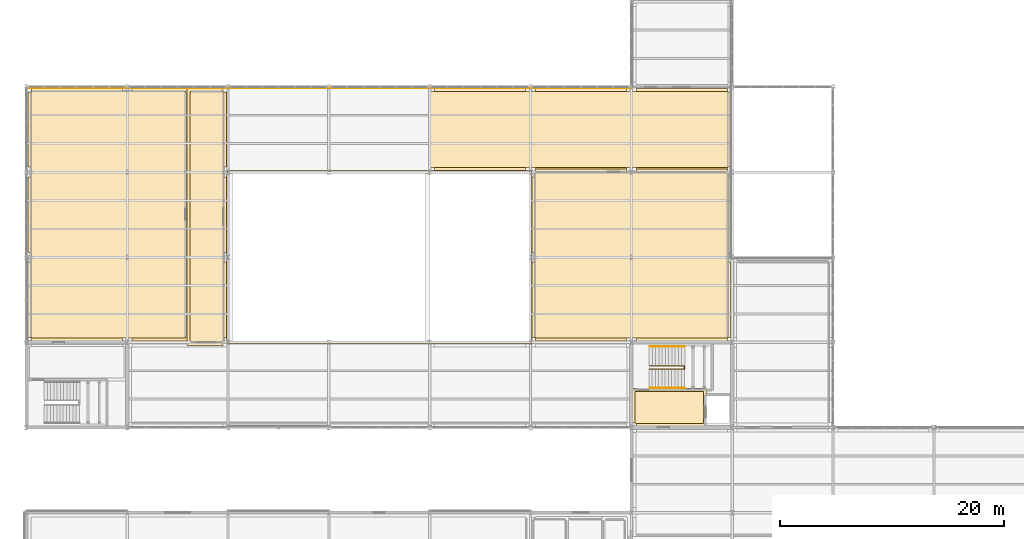
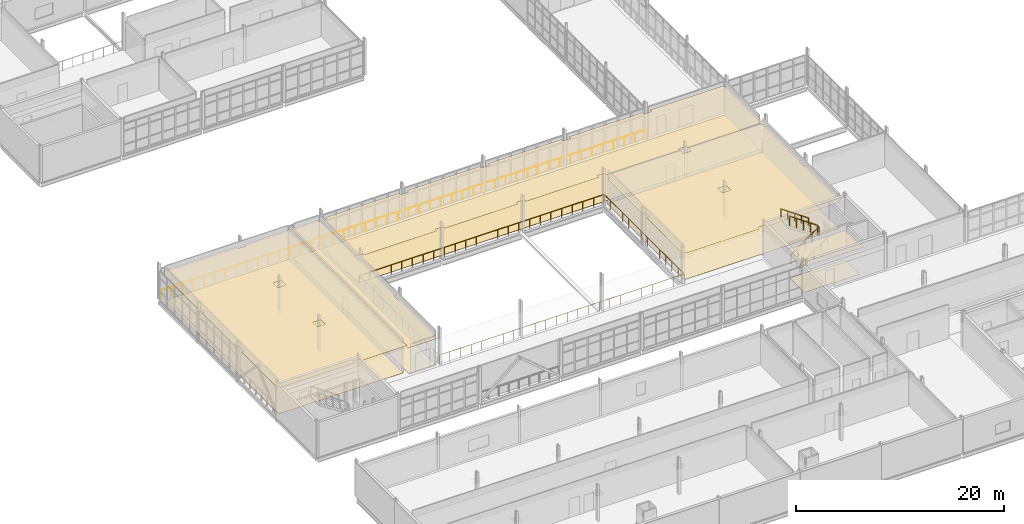
# One storey, part 166 of 174: 10 coverings, 5 railings.
"""IFC4 building model written with IfcOpenShell, lengths in metres."""

import ifcopenshell
import ifcopenshell.guid

model = None  # the IFC model being written
_history = None  # IfcOwnerHistory: only IFC2X3 demands one
_inside = {}  # id of a spatial element -> (the spatial element, [elements in it])
_under = {}  # id of a project, library or spatial element -> (it, [spatial elements below it])
_declared = {}  # id of a project -> (the project, [libraries it declares])
_typed = {}  # id of a type object -> (the type object, [elements of that type])
_made_of = {}  # id of a material, layer set ... -> (it, [elements and type objects made of it])


def new_model(schema):
    """Start an empty IFC model of exactly this schema.

    Asked for "IFC4X3", IfcOpenShell would pick the latest addendum, in which some entities
    have other attributes; the version numbers below select the first issue.
    IFC2X3 requires an IfcOwnerHistory on every rooted entity: one is made here for all.
    """
    global model, _history
    if schema == "IFC4X3":
        model = ifcopenshell.file(schema_version=(4, 3, 0, 0))
    else:
        model = ifcopenshell.file(schema=schema)
    _inside.clear()
    _under.clear()
    _declared.clear()
    _typed.clear()
    _made_of.clear()
    _history = None
    if model.schema == "IFC2X3":
        org = make("IfcOrganization", Name="unknown")
        user = make(
            "IfcPersonAndOrganization",
            ThePerson=make("IfcPerson", FamilyName="unknown"),
            TheOrganization=org,
        )
        app = make(
            "IfcApplication",
            ApplicationDeveloper=org,
            Version="unknown",
            ApplicationFullName="unknown",
            ApplicationIdentifier="unknown",
        )
        _history = make(
            "IfcOwnerHistory",
            OwningUser=user,
            OwningApplication=app,
            ChangeAction="ADDED",
            CreationDate=0,
        )
    return model


def make(cls, **values):
    """One entity of the class cls with the attributes given. An attribute that is None is left unset."""
    return model.create_entity(
        cls, **{name: value for name, value in values.items() if value is not None}
    )


def rooted(cls, **values):
    """An entity with a GlobalId (a new one), such as an element, a storey or a relation."""
    return make(cls, GlobalId=ifcopenshell.guid.new(), OwnerHistory=_history, **values)


def si_unit(unit_type, name, prefix=None):
    """IfcSIUnit, for example si_unit("LENGTHUNIT", "METRE", prefix="MILLI")."""
    return make("IfcSIUnit", UnitType=unit_type, Prefix=prefix, Name=name)


def assignment(units):
    """IfcUnitAssignment: the units of a project."""
    return None if units is None else make("IfcUnitAssignment", Units=units)


def point(xyz):
    """IfcCartesianPoint."""
    return None if xyz is None else make("IfcCartesianPoint", Coordinates=xyz)


def direction(xyz):
    """IfcDirection."""
    return None if xyz is None else make("IfcDirection", DirectionRatios=xyz)


def frame(location, z_axis=None, x_axis=None):
    """IfcAxis2Placement3D, a coordinate frame: its origin and axes. An axis left out is left unset."""
    return make(
        "IfcAxis2Placement3D",
        Location=point(location),
        Axis=direction(z_axis),
        RefDirection=direction(x_axis),
    )


def frame_2d(location, x_axis=None):
    """IfcAxis2Placement2D, a coordinate frame in the plane: its origin and x axis."""
    return make(
        "IfcAxis2Placement2D", Location=point(location), RefDirection=direction(x_axis)
    )


def origin():
    """The frame at (0, 0, 0) with its axes left unset."""
    return frame((0.0, 0.0, 0.0))


def origin_2d():
    """The frame at (0, 0) in the plane with its x axis left unset."""
    return frame_2d((0.0, 0.0))


def place(relative_to, where):
    """IfcLocalPlacement: puts the frame where relative to a parent placement (None: the world)."""
    return make(
        "IfcLocalPlacement", PlacementRelTo=relative_to, RelativePlacement=where
    )


def context(
    kind, dimensions, precision=None, world=None, true_north=None, identifier=None
):
    """IfcGeometricRepresentationContext, for example the 3D "Model" context."""
    return make(
        "IfcGeometricRepresentationContext",
        ContextIdentifier=identifier,
        ContextType=kind,
        CoordinateSpaceDimension=dimensions,
        Precision=precision,
        WorldCoordinateSystem=world,
        TrueNorth=true_north,
    )


def subcontext(parent, identifier, kind, view, scale=None):
    """IfcGeometricRepresentationSubContext, for example "Body" below "Model"."""
    return make(
        "IfcGeometricRepresentationSubContext",
        ContextIdentifier=identifier,
        ContextType=kind,
        ParentContext=parent,
        TargetScale=scale,
        TargetView=view,
    )


def project(units=None, contexts=None):
    """IfcProject with its units and contexts."""
    return rooted(
        "IfcProject",
        Name="project",
        RepresentationContexts=contexts,
        UnitsInContext=assignment(units),
    )


def spatial(cls, under=None, at=None, **own):
    """A site, building, storey or space (cls), placed at a placement, below another one or the project."""
    s = rooted(cls, ObjectPlacement=at, **own)
    if under is not None:
        _under.setdefault(under.id(), (under, []))[1].append(s)
    return s


def polyline(points):
    """IfcPolyline through the points."""
    return make("IfcPolyline", Points=[point(p) for p in points])


def profile(cls, at=None, kind="AREA", **sizes):
    """A parametric profile (cls). Its sizes go by their IFC names, for example OverallWidth=200.0."""
    return make(cls, ProfileType=kind, Position=at, **sizes)


def circle(**sizes):
    """IfcCircleProfileDef."""
    return profile("IfcCircleProfileDef", **sizes)


def outline(outer, holes=None, kind="AREA"):
    """IfcArbitraryClosedProfileDef: a profile drawn as a closed curve; with holes, ...WithVoids."""
    if holes is None:
        return make("IfcArbitraryClosedProfileDef", ProfileType=kind, OuterCurve=outer)
    return make(
        "IfcArbitraryProfileDefWithVoids",
        ProfileType=kind,
        OuterCurve=outer,
        InnerCurves=holes,
    )


def extrude(swept, where, along, depth):
    """IfcExtrudedAreaSolid: the profile swept, set in the frame where, extruded along a direction by depth."""
    return make(
        "IfcExtrudedAreaSolid",
        SweptArea=swept,
        Position=where,
        ExtrudedDirection=direction(along),
        Depth=depth,
    )


def shape(context_of_items, identifier, shape_type, items):
    """IfcShapeRepresentation: the items that make up one representation, for example the "Body"."""
    return make(
        "IfcShapeRepresentation",
        ContextOfItems=context_of_items,
        RepresentationIdentifier=identifier,
        RepresentationType=shape_type,
        Items=items,
    )


def material(Name=None, Category=None):
    """IfcMaterial."""
    return make("IfcMaterial", Name=Name, Category=Category)


def layer(
    of_material, thickness, ventilated=None, Name=None, Category=None, Priority=None
):
    """IfcMaterialLayer: one layer of a wall or slab, of a material (None: an air gap)."""
    return make(
        "IfcMaterialLayer",
        Material=of_material,
        LayerThickness=thickness,
        IsVentilated=ventilated,
        Name=Name,
        Category=Category,
        Priority=Priority,
    )


def layer_set(layers, Name=None):
    """IfcMaterialLayerSet."""
    return make("IfcMaterialLayerSet", MaterialLayers=layers, LayerSetName=Name)


def made_of(thing, what):
    """Note that an element or type object is made of a material, layer set ...; save() writes the relation."""
    if what is not None:
        _made_of.setdefault(what.id(), (what, []))[1].append(thing)
    return thing


def type_object(cls, material=None, **own):
    """A type object (cls), such as IfcWallType, which elements share."""
    return made_of(rooted(cls, **own), material)


def element(
    cls,
    number,
    at=None,
    inside=None,
    cuts=None,
    type_object=None,
    material=None,
    context=None,
    identifier="Body",
    shape_type=None,
    held_by="IfcProductDefinitionShape",
    body=None,
    shapes=None,
    **own,
):
    """One element of the class cls, such as IfcWall. Its Tag is "e" and its number.

    at: its placement. inside: the storey or other place that contains it. cuts: it is an
    opening in that element (IfcRelVoidsElement). A single representation is given by context,
    identifier, shape_type and body (its items); several are given by shapes. held_by: the class
    of the entity that holds the representations. save() writes the other relations.
    """
    e = rooted(cls, Tag="e%d" % number, ObjectPlacement=at, **own)
    if body is not None:
        shapes = [shape(context, identifier, shape_type, body)]
    if shapes is not None:
        e.Representation = make(held_by, Representations=shapes)
    if inside is not None:
        _inside.setdefault(inside.id(), (inside, []))[1].append(e)
    if cuts is not None:
        rooted(
            "IfcRelVoidsElement", RelatingBuildingElement=cuts, RelatedOpeningElement=e
        )
    if type_object is not None:
        _typed.setdefault(type_object.id(), (type_object, []))[1].append(e)
    return made_of(e, material)


def aggregate(whole, parts):
    """IfcRelAggregates: a whole, such as a stair, and the parts it consists of."""
    return rooted("IfcRelAggregates", RelatingObject=whole, RelatedObjects=parts)


def save(model, path):
    """Write the relations noted so far, then the file.

    IfcRelAggregates (storeys below a building ...), IfcRelContainedInSpatialStructure (elements
    in a storey), IfcRelDefinesByType, IfcRelAssociatesMaterial and IfcRelDeclares: one each for
    every whole, place, type object, material and project.
    """
    for whole, parts in _under.values():
        aggregate(whole, parts)
    for where, things in _inside.values():
        rooted(
            "IfcRelContainedInSpatialStructure",
            RelatedElements=things,
            RelatingStructure=where,
        )
    for kind, things in _typed.values():
        rooted("IfcRelDefinesByType", RelatedObjects=things, RelatingType=kind)
    for what, things in _made_of.values():
        rooted("IfcRelAssociatesMaterial", RelatedObjects=things, RelatingMaterial=what)
    for by, libraries in _declared.values():
        rooted("IfcRelDeclares", RelatingContext=by, RelatedDefinitions=libraries)
    model.write(path)


model = new_model("IFC4")

# Units and contexts
model_context = context("Model", 3, precision=1e-05, world=origin(), true_north=direction((0.0, 1.0)))
body_context = subcontext(model_context, "Body", "Model", "MODEL_VIEW")
ifc_project = project(units=[si_unit("LENGTHUNIT", "METRE"), si_unit("AREAUNIT", "SQUARE_METRE"), si_unit("VOLUMEUNIT", "CUBIC_METRE"), si_unit("PLANEANGLEUNIT", "RADIAN"), si_unit("MASSUNIT", "GRAM", prefix="KILO")], contexts=[model_context])

# Site, building, storey
site_placement = place(None, origin())
site = spatial("IfcSite", under=ifc_project, at=site_placement, CompositionType="ELEMENT")
building_placement = place(site_placement, origin())
building = spatial("IfcBuilding", under=site, at=building_placement, Name="Caisbarro Railhouse Central Library", CompositionType="ELEMENT")
storey_placement = place(building_placement, frame((0.0, 0.0, 5.0400390625)))
storey = spatial("IfcBuildingStorey", under=building, at=storey_placement, Name="L01", CompositionType="ELEMENT", Elevation=5.0400390625)

# Coverings
ifc_material_1 = material(Name="Perforated mineral-fibre acoustic ceiling tile")
ifc_layer_1 = layer(ifc_material_1, 0.01806640625, Name="Perforated mineral-fibre acoustic ceiling tile")
ifc_layer_set_1 = layer_set([ifc_layer_1], Name="Perforated mineral-fibre acoustic ceiling tile")
covering_type_1 = type_object("IfcCoveringType", Name="COV-CL01", PredefinedType="CEILING", material=ifc_layer_set_1)
covering_1_placement = place(storey_placement, frame((0.0, 0.0, 3.25)))
element("IfcCovering", 1, at=covering_1_placement, inside=storey, type_object=covering_type_1, Name="CL01 acoustic ceiling Lift Lobby K4", PredefinedType="CEILING", context=body_context, shape_type="SweptSolid", body=[
    extrude(outline(polyline([(54.0400390625, 33.860107421875), (60.7099609375, 33.860107421875), (60.7099609375, 30.489990234375), (54.43994140625, 30.489990234375), (54.43994140625, 30.840087890625), (54.0400390625, 30.840087890625), (54.0400390625, 33.860107421875)])), origin(), (0.0, 0.0, 1.0), 0.01806640625),
])
covering_2_placement = place(storey_placement, frame((0.0, 0.0, 3.25)))
element("IfcCovering", 2, at=covering_2_placement, inside=storey, type_object=covering_type_1, Name="CL01 acoustic ceiling Mezzanine Link Corridor L01", PredefinedType="CEILING", context=body_context, shape_type="SweptSolid", body=[
    extrude(outline(polyline([(17.56005859375, 53.639892578125), (17.56005859375, 52.760009765625), (17.860107421875, 52.760009765625), (17.860107421875, 46.0400390625), (17.56005859375, 46.0400390625), (17.56005859375, 45.159912109375), (17.860107421875, 45.159912109375), (17.860107421875, 38.43994140625), (17.56005859375, 38.43994140625), (17.56005859375, 37.739990234375), (14.340087890625, 37.739990234375), (14.340087890625, 60.659912109375), (17.56005859375, 60.659912109375), (17.56005859375, 60.360107421875), (17.860107421875, 60.360107421875), (17.860107421875, 53.639892578125), (17.56005859375, 53.639892578125)])), origin(), (0.0, 0.0, 1.0), 0.01806640625),
])
covering_3_placement = place(storey_placement, frame((0.0, 0.0, 3.25)))
element("IfcCovering", 3, at=covering_3_placement, inside=storey, type_object=covering_type_1, Name="CL01 acoustic ceiling Digital Media Listening Lab", PredefinedType="CEILING", context=body_context, shape_type="SweptSolid", body=[
    extrude(outline(polyline([(45.43994140625, 38.43994140625), (45.139892578125, 38.43994140625), (45.139892578125, 45.159912109375), (45.43994140625, 45.159912109375), (45.43994140625, 46.0400390625), (45.139892578125, 46.0400390625), (45.139892578125, 52.760009765625), (45.43994140625, 52.760009765625), (45.43994140625, 53.4599609375), (53.56005859375, 53.4599609375), (53.56005859375, 52.760009765625), (54.43994140625, 52.760009765625), (54.43994140625, 53.4599609375), (62.56005859375, 53.4599609375), (62.56005859375, 52.760009765625), (62.860107421875, 52.760009765625), (62.860107421875, 46.0400390625), (62.56005859375, 46.0400390625), (62.56005859375, 45.159912109375), (62.860107421875, 45.159912109375), (62.860107421875, 38.43994140625), (62.56005859375, 38.43994140625), (62.56005859375, 38.139892578125), (54.43994140625, 38.139892578125), (54.43994140625, 38.43994140625), (53.56005859375, 38.43994140625), (53.56005859375, 38.139892578125), (45.43994140625, 38.139892578125), (45.43994140625, 38.43994140625)]), holes=[polyline([(54.43994140625, 46.0400390625), (53.56005859375, 46.0400390625), (53.56005859375, 45.159912109375), (54.43994140625, 45.159912109375), (54.43994140625, 46.0400390625)])]), origin(), (0.0, 0.0, 1.0), 0.01806640625),
])
ifc_material_2 = material(Name="Slatted acoustic timber baffle ceiling", Category="wood")
ifc_layer_2 = layer(ifc_material_2, 0.031982421875, Name="Slatted acoustic timber baffle ceiling")
ifc_layer_set_2 = layer_set([ifc_layer_2], Name="Slatted acoustic timber baffle ceiling")
covering_type_2 = type_object("IfcCoveringType", Name="COV-CL02", PredefinedType="CEILING", material=ifc_layer_set_2)
covering_4_placement = place(storey_placement, frame((0.0, 0.0, 3.25)))
element("IfcCovering", 4, at=covering_4_placement, inside=storey, type_object=covering_type_2, Name="CL02 acoustic ceiling West Mezzanine Reading Room", PredefinedType="CEILING", context=body_context, shape_type="SweptSolid", body=[
    extrude(outline(polyline([(0.43994140625, 45.159912109375), (0.43994140625, 46.0400390625), (0.139892578125, 46.0400390625), (0.139892578125, 52.760009765625), (0.43994140625, 52.760009765625), (0.43994140625, 53.639892578125), (0.139892578125, 53.639892578125), (0.139892578125, 60.360107421875), (0.43994140625, 60.360107421875), (0.43994140625, 60.659912109375), (8.56005859375, 60.659912109375), (8.56005859375, 60.360107421875), (9.43994140625, 60.360107421875), (9.43994140625, 60.659912109375), (14.4599609375, 60.659912109375), (14.4599609375, 38.139892578125), (9.43994140625, 38.139892578125), (9.43994140625, 38.43994140625), (8.56005859375, 38.43994140625), (8.56005859375, 38.139892578125), (0.43994140625, 38.139892578125), (0.43994140625, 38.43994140625), (0.139892578125, 38.43994140625), (0.139892578125, 45.159912109375), (0.43994140625, 45.159912109375)]), holes=[polyline([(8.56005859375, 45.159912109375), (9.43994140625, 45.159912109375), (9.43994140625, 46.0400390625), (8.56005859375, 46.0400390625), (8.56005859375, 45.159912109375)]), polyline([(8.56005859375, 53.639892578125), (8.56005859375, 52.760009765625), (9.43994140625, 52.760009765625), (9.43994140625, 53.639892578125), (8.56005859375, 53.639892578125)])]), origin(), (0.0, 0.0, 1.0), 0.031982421875),
])
covering_5_placement = place(storey_placement, frame((0.0, 0.0, 3.25)))
element("IfcCovering", 5, at=covering_5_placement, inside=storey, type_object=covering_type_2, Name="CL02 acoustic ceiling North Court Reading Gallery L01", PredefinedType="CEILING", context=body_context, shape_type="SweptSolid", body=[
    extrude(outline(polyline([(18.43994140625, 60.360107421875), (18.43994140625, 60.659912109375), (26.56005859375, 60.659912109375), (26.56005859375, 60.360107421875), (27.43994140625, 60.360107421875), (27.43994140625, 60.659912109375), (35.56005859375, 60.659912109375), (35.56005859375, 60.360107421875), (36.43994140625, 60.360107421875), (36.43994140625, 60.659912109375), (44.56005859375, 60.659912109375), (44.56005859375, 60.360107421875), (45.43994140625, 60.360107421875), (45.43994140625, 60.659912109375), (53.56005859375, 60.659912109375), (53.56005859375, 60.360107421875), (54.43994140625, 60.360107421875), (54.43994140625, 60.659912109375), (62.56005859375, 60.659912109375), (62.56005859375, 60.360107421875), (62.860107421875, 60.360107421875), (62.860107421875, 53.639892578125), (62.56005859375, 53.639892578125), (62.56005859375, 53.340087890625), (54.43994140625, 53.340087890625), (54.43994140625, 53.639892578125), (53.56005859375, 53.639892578125), (53.56005859375, 53.340087890625), (45.43994140625, 53.340087890625), (45.43994140625, 53.639892578125), (44.56005859375, 53.639892578125), (44.56005859375, 53.340087890625), (36.43994140625, 53.340087890625), (36.43994140625, 53.639892578125), (35.56005859375, 53.639892578125), (35.56005859375, 53.340087890625), (27.43994140625, 53.340087890625), (27.43994140625, 53.639892578125), (26.56005859375, 53.639892578125), (26.56005859375, 53.340087890625), (18.43994140625, 53.340087890625), (18.43994140625, 53.639892578125), (17.739990234375, 53.639892578125), (17.739990234375, 60.360107421875), (18.43994140625, 60.360107421875)])), origin(), (0.0, 0.0, 1.0), 0.031982421875),
])
ifc_material_3 = material(Name="Polished cementitious terrazzo flooring")
ifc_layer_3 = layer(ifc_material_3, 0.02197265625, Name="Polished cementitious terrazzo flooring")
ifc_layer_set_3 = layer_set([ifc_layer_3], Name="Polished cementitious terrazzo flooring")
covering_type_3 = type_object("IfcCoveringType", Name="COV-FL01", PredefinedType="FLOORING", material=ifc_layer_set_3)
covering_6_placement = place(storey_placement, origin())
element("IfcCovering", 6, at=covering_6_placement, inside=storey, type_object=covering_type_3, Name="FL01 flooring Lift Lobby K4", PredefinedType="FLOORING", context=body_context, shape_type="SweptSolid", body=[
    extrude(outline(polyline([(54.300048828125, 30.75), (60.449951171875, 30.75), (60.449951171875, 33.60009765625), (54.300048828125, 33.60009765625), (54.300048828125, 30.75)])), origin(), (0.0, 0.0, 1.0), 0.02197265625),
])
covering_7_placement = place(storey_placement, origin())
element("IfcCovering", 7, at=covering_7_placement, inside=storey, type_object=covering_type_3, Name="FL01 flooring Mezzanine Link Corridor L01", PredefinedType="FLOORING", context=body_context, shape_type="SweptSolid", body=[
    extrude(outline(polyline([(14.60009765625, 38.0), (17.60009765625, 38.0), (17.60009765625, 60.39990234375), (14.60009765625, 60.39990234375), (14.60009765625, 38.0)])), origin(), (0.0, 0.0, 1.0), 0.02197265625),
])
ifc_material_4 = material(Name="Heavy-duty acoustic linoleum flooring")
ifc_layer_4 = layer(ifc_material_4, 0.011962890625, Name="Heavy-duty acoustic linoleum flooring")
ifc_layer_set_4 = layer_set([ifc_layer_4], Name="Heavy-duty acoustic linoleum flooring")
covering_type_4 = type_object("IfcCoveringType", Name="COV-FL02", PredefinedType="FLOORING", material=ifc_layer_set_4)
covering_8_placement = place(storey_placement, origin())
element("IfcCovering", 8, at=covering_8_placement, inside=storey, type_object=covering_type_4, Name="FL02 flooring West Mezzanine Reading Room", PredefinedType="FLOORING", context=body_context, shape_type="SweptSolid", body=[
    extrude(outline(polyline([(0.39990234375, 38.39990234375), (14.199951171875, 38.39990234375), (14.199951171875, 60.39990234375), (0.39990234375, 60.39990234375), (0.39990234375, 38.39990234375)])), origin(), (0.0, 0.0, 1.0), 0.011962890625),
])
covering_9_placement = place(storey_placement, origin())
element("IfcCovering", 9, at=covering_9_placement, inside=storey, type_object=covering_type_4, Name="FL02 flooring North Court Reading Gallery L01", PredefinedType="FLOORING", context=body_context, shape_type="SweptSolid", body=[
    extrude(outline(polyline([(18.0, 53.60009765625), (62.60009765625, 53.60009765625), (62.60009765625, 60.39990234375), (18.0, 60.39990234375), (18.0, 53.60009765625)])), origin(), (0.0, 0.0, 1.0), 0.011962890625),
])
covering_10_placement = place(storey_placement, origin())
element("IfcCovering", 10, at=covering_10_placement, inside=storey, type_object=covering_type_4, Name="FL02 flooring Digital Media Listening Lab", PredefinedType="FLOORING", context=body_context, shape_type="SweptSolid", body=[
    extrude(outline(polyline([(45.39990234375, 38.39990234375), (62.60009765625, 38.39990234375), (62.60009765625, 53.199951171875), (45.39990234375, 53.199951171875), (45.39990234375, 38.39990234375)])), origin(), (0.0, 0.0, 1.0), 0.011962890625),
])

# Railings
ifc_material_5 = material(Name="Laminated safety glass balustrade with stainless top rail", Category="glass")
railing_type_1 = type_object("IfcRailingType", Name="RLG-ATR112", PredefinedType="GUARDRAIL", material=ifc_material_5)
railing_1_placement = place(storey_placement, frame((17.89990234375, 37.89990234375, 0.0)))
element("IfcRailing", 11, at=railing_1_placement, inside=storey, type_object=railing_type_1, Name="RG02 Interior Void Balustrade L01-05", PredefinedType="GUARDRAIL", context=body_context, shape_type="SweptSolid", body=[
    extrude(circle(Radius=0.02392578125, at=origin_2d()), frame((0.0, 0.0, 1.09619140625), z_axis=(1.0, 0.0, 0.0), x_axis=(0.0, 1.0, 0.0)), (0.0, 0.0, 1.0), 27.2001953125),
    extrude(circle(Radius=0.02392578125, at=origin_2d()), frame((27.2001953125, 0.0, 1.09619140625), z_axis=(0.0, 1.0, 0.0), x_axis=(-1.0, 0.0, 0.0)), (0.0, 0.0, 1.0), 15.400146484375),
    extrude(circle(Radius=0.02392578125, at=origin_2d()), frame((27.2001953125, 15.400146484375, 1.09619140625), z_axis=(-1.0, 0.0, 0.0), x_axis=(0.0, -1.0, 0.0)), (0.0, 0.0, 1.0), 27.2001953125),
    extrude(circle(Radius=0.02392578125, at=origin_2d()), frame((0.0, 15.400146484375, 1.09619140625), z_axis=(0.0, -1.0, 0.0), x_axis=(1.0, 0.0, 0.0)), (0.0, 0.0, 1.0), 15.400146484375),
    extrude(circle(Radius=0.02099609375, at=origin_2d()), origin(), (0.0, 0.0, 1.0), 1.072021484375),
    extrude(circle(Radius=0.02099609375, at=origin_2d()), frame((1.1826171875, 0.0, 0.0)), (0.0, 0.0, 1.0), 1.072021484375),
    extrude(circle(Radius=0.02099609375, at=origin_2d()), frame((2.365234375, 0.0, 0.0)), (0.0, 0.0, 1.0), 1.072021484375),
    extrude(circle(Radius=0.02099609375, at=origin_2d()), frame((3.5478515625, 0.0, 0.0)), (0.0, 0.0, 1.0), 1.072021484375),
    extrude(circle(Radius=0.02099609375, at=origin_2d()), frame((4.73046875, 0.0, 0.0)), (0.0, 0.0, 1.0), 1.072021484375),
    extrude(circle(Radius=0.02099609375, at=origin_2d()), frame((5.9130859375, 0.0, 0.0)), (0.0, 0.0, 1.0), 1.072021484375),
    extrude(circle(Radius=0.02099609375, at=origin_2d()), frame((7.095703125, 0.0, 0.0)), (0.0, 0.0, 1.0), 1.072021484375),
    extrude(circle(Radius=0.02099609375, at=origin_2d()), frame((8.2783203125, 0.0, 0.0)), (0.0, 0.0, 1.0), 1.072021484375),
    extrude(circle(Radius=0.02099609375, at=origin_2d()), frame((9.4609375, 0.0, 0.0)), (0.0, 0.0, 1.0), 1.072021484375),
    extrude(circle(Radius=0.02099609375, at=origin_2d()), frame((10.6435546875, 0.0, 0.0)), (0.0, 0.0, 1.0), 1.072021484375),
    extrude(circle(Radius=0.02099609375, at=origin_2d()), frame((11.826171875, 0.0, 0.0)), (0.0, 0.0, 1.0), 1.072021484375),
    extrude(circle(Radius=0.02099609375, at=origin_2d()), frame((13.0087890625, 0.0, 0.0)), (0.0, 0.0, 1.0), 1.072021484375),
    extrude(circle(Radius=0.02099609375, at=origin_2d()), frame((14.19140625, 0.0, 0.0)), (0.0, 0.0, 1.0), 1.072021484375),
    extrude(circle(Radius=0.02099609375, at=origin_2d()), frame((15.3740234375, 0.0, 0.0)), (0.0, 0.0, 1.0), 1.072021484375),
    extrude(circle(Radius=0.02099609375, at=origin_2d()), frame((16.556640625, 0.0, 0.0)), (0.0, 0.0, 1.0), 1.072021484375),
    extrude(circle(Radius=0.02099609375, at=origin_2d()), frame((17.7392578125, 0.0, 0.0)), (0.0, 0.0, 1.0), 1.072021484375),
    extrude(circle(Radius=0.02099609375, at=origin_2d()), frame((18.921875, 0.0, 0.0)), (0.0, 0.0, 1.0), 1.072021484375),
    extrude(circle(Radius=0.02099609375, at=origin_2d()), frame((20.1044921875, 0.0, 0.0)), (0.0, 0.0, 1.0), 1.072021484375),
    extrude(circle(Radius=0.02099609375, at=origin_2d()), frame((21.287109375, 0.0, 0.0)), (0.0, 0.0, 1.0), 1.072021484375),
    extrude(circle(Radius=0.02099609375, at=origin_2d()), frame((22.4697265625, 0.0, 0.0)), (0.0, 0.0, 1.0), 1.072021484375),
    extrude(circle(Radius=0.02099609375, at=origin_2d()), frame((23.65234375, 0.0, 0.0)), (0.0, 0.0, 1.0), 1.072021484375),
    extrude(circle(Radius=0.02099609375, at=origin_2d()), frame((24.8349609375, 0.0, 0.0)), (0.0, 0.0, 1.0), 1.072021484375),
    extrude(circle(Radius=0.02099609375, at=origin_2d()), frame((26.017578125, 0.0, 0.0)), (0.0, 0.0, 1.0), 1.072021484375),
    extrude(circle(Radius=0.02099609375, at=origin_2d()), frame((27.2001953125, 0.0, 0.0)), (0.0, 0.0, 1.0), 1.072021484375),
    extrude(circle(Radius=0.02099609375, at=origin_2d()), frame((27.2001953125, 1.1845703125, 0.0)), (0.0, 0.0, 1.0), 1.072021484375),
    extrude(circle(Radius=0.02099609375, at=origin_2d()), frame((27.2001953125, 2.369140625, 0.0)), (0.0, 0.0, 1.0), 1.072021484375),
    extrude(circle(Radius=0.02099609375, at=origin_2d()), frame((27.2001953125, 3.553955078125, 0.0)), (0.0, 0.0, 1.0), 1.072021484375),
    extrude(circle(Radius=0.02099609375, at=origin_2d()), frame((27.2001953125, 4.738525390625, 0.0)), (0.0, 0.0, 1.0), 1.072021484375),
    extrude(circle(Radius=0.02099609375, at=origin_2d()), frame((27.2001953125, 5.923095703125, 0.0)), (0.0, 0.0, 1.0), 1.072021484375),
    extrude(circle(Radius=0.02099609375, at=origin_2d()), frame((27.2001953125, 7.107666015625, 0.0)), (0.0, 0.0, 1.0), 1.072021484375),
    extrude(circle(Radius=0.02099609375, at=origin_2d()), frame((27.2001953125, 8.29248046875, 0.0)), (0.0, 0.0, 1.0), 1.072021484375),
    extrude(circle(Radius=0.02099609375, at=origin_2d()), frame((27.2001953125, 9.47705078125, 0.0)), (0.0, 0.0, 1.0), 1.072021484375),
    extrude(circle(Radius=0.02099609375, at=origin_2d()), frame((27.2001953125, 10.66162109375, 0.0)), (0.0, 0.0, 1.0), 1.072021484375),
    extrude(circle(Radius=0.02099609375, at=origin_2d()), frame((27.2001953125, 11.84619140625, 0.0)), (0.0, 0.0, 1.0), 1.072021484375),
    extrude(circle(Radius=0.02099609375, at=origin_2d()), frame((27.2001953125, 13.031005859375, 0.0)), (0.0, 0.0, 1.0), 1.072021484375),
    extrude(circle(Radius=0.02099609375, at=origin_2d()), frame((27.2001953125, 14.215576171875, 0.0)), (0.0, 0.0, 1.0), 1.072021484375),
    extrude(circle(Radius=0.02099609375, at=origin_2d()), frame((27.2001953125, 15.400146484375, 0.0)), (0.0, 0.0, 1.0), 1.072021484375),
    extrude(circle(Radius=0.02099609375, at=origin_2d()), frame((26.017578125, 15.400146484375, 0.0)), (0.0, 0.0, 1.0), 1.072021484375),
    extrude(circle(Radius=0.02099609375, at=origin_2d()), frame((24.8349609375, 15.400146484375, 0.0)), (0.0, 0.0, 1.0), 1.072021484375),
    extrude(circle(Radius=0.02099609375, at=origin_2d()), frame((23.65234375, 15.400146484375, 0.0)), (0.0, 0.0, 1.0), 1.072021484375),
    extrude(circle(Radius=0.02099609375, at=origin_2d()), frame((22.4697265625, 15.400146484375, 0.0)), (0.0, 0.0, 1.0), 1.072021484375),
    extrude(circle(Radius=0.02099609375, at=origin_2d()), frame((21.287109375, 15.400146484375, 0.0)), (0.0, 0.0, 1.0), 1.072021484375),
    extrude(circle(Radius=0.02099609375, at=origin_2d()), frame((20.1044921875, 15.400146484375, 0.0)), (0.0, 0.0, 1.0), 1.072021484375),
    extrude(circle(Radius=0.02099609375, at=origin_2d()), frame((18.921875, 15.400146484375, 0.0)), (0.0, 0.0, 1.0), 1.072021484375),
    extrude(circle(Radius=0.02099609375, at=origin_2d()), frame((17.7392578125, 15.400146484375, 0.0)), (0.0, 0.0, 1.0), 1.072021484375),
    extrude(circle(Radius=0.02099609375, at=origin_2d()), frame((16.556640625, 15.400146484375, 0.0)), (0.0, 0.0, 1.0), 1.072021484375),
    extrude(circle(Radius=0.02099609375, at=origin_2d()), frame((15.3740234375, 15.400146484375, 0.0)), (0.0, 0.0, 1.0), 1.072021484375),
    extrude(circle(Radius=0.02099609375, at=origin_2d()), frame((14.19140625, 15.400146484375, 0.0)), (0.0, 0.0, 1.0), 1.072021484375),
    extrude(circle(Radius=0.02099609375, at=origin_2d()), frame((13.0087890625, 15.400146484375, 0.0)), (0.0, 0.0, 1.0), 1.072021484375),
    extrude(circle(Radius=0.02099609375, at=origin_2d()), frame((11.826171875, 15.400146484375, 0.0)), (0.0, 0.0, 1.0), 1.072021484375),
    extrude(circle(Radius=0.02099609375, at=origin_2d()), frame((10.6435546875, 15.400146484375, 0.0)), (0.0, 0.0, 1.0), 1.072021484375),
    extrude(circle(Radius=0.02099609375, at=origin_2d()), frame((9.4609375, 15.400146484375, 0.0)), (0.0, 0.0, 1.0), 1.072021484375),
    extrude(circle(Radius=0.02099609375, at=origin_2d()), frame((8.2783203125, 15.400146484375, 0.0)), (0.0, 0.0, 1.0), 1.072021484375),
    extrude(circle(Radius=0.02099609375, at=origin_2d()), frame((7.095703125, 15.400146484375, 0.0)), (0.0, 0.0, 1.0), 1.072021484375),
    extrude(circle(Radius=0.02099609375, at=origin_2d()), frame((5.9130859375, 15.400146484375, 0.0)), (0.0, 0.0, 1.0), 1.072021484375),
    extrude(circle(Radius=0.02099609375, at=origin_2d()), frame((4.73046875, 15.400146484375, 0.0)), (0.0, 0.0, 1.0), 1.072021484375),
    extrude(circle(Radius=0.02099609375, at=origin_2d()), frame((3.5478515625, 15.400146484375, 0.0)), (0.0, 0.0, 1.0), 1.072021484375),
    extrude(circle(Radius=0.02099609375, at=origin_2d()), frame((2.365234375, 15.400146484375, 0.0)), (0.0, 0.0, 1.0), 1.072021484375),
    extrude(circle(Radius=0.02099609375, at=origin_2d()), frame((1.1826171875, 15.400146484375, 0.0)), (0.0, 0.0, 1.0), 1.072021484375),
    extrude(circle(Radius=0.02099609375, at=origin_2d()), frame((0.0, 15.400146484375, 0.0)), (0.0, 0.0, 1.0), 1.072021484375),
    extrude(circle(Radius=0.02099609375, at=origin_2d()), frame((0.0, 14.215576171875, 0.0)), (0.0, 0.0, 1.0), 1.072021484375),
    extrude(circle(Radius=0.02099609375, at=origin_2d()), frame((0.0, 13.031005859375, 0.0)), (0.0, 0.0, 1.0), 1.072021484375),
    extrude(circle(Radius=0.02099609375, at=origin_2d()), frame((0.0, 11.84619140625, 0.0)), (0.0, 0.0, 1.0), 1.072021484375),
    extrude(circle(Radius=0.02099609375, at=origin_2d()), frame((0.0, 10.66162109375, 0.0)), (0.0, 0.0, 1.0), 1.072021484375),
    extrude(circle(Radius=0.02099609375, at=origin_2d()), frame((0.0, 9.47705078125, 0.0)), (0.0, 0.0, 1.0), 1.072021484375),
    extrude(circle(Radius=0.02099609375, at=origin_2d()), frame((0.0, 8.29248046875, 0.0)), (0.0, 0.0, 1.0), 1.072021484375),
    extrude(circle(Radius=0.02099609375, at=origin_2d()), frame((0.0, 7.107666015625, 0.0)), (0.0, 0.0, 1.0), 1.072021484375),
    extrude(circle(Radius=0.02099609375, at=origin_2d()), frame((0.0, 5.923095703125, 0.0)), (0.0, 0.0, 1.0), 1.072021484375),
    extrude(circle(Radius=0.02099609375, at=origin_2d()), frame((0.0, 4.738525390625, 0.0)), (0.0, 0.0, 1.0), 1.072021484375),
    extrude(circle(Radius=0.02099609375, at=origin_2d()), frame((0.0, 3.553955078125, 0.0)), (0.0, 0.0, 1.0), 1.072021484375),
    extrude(circle(Radius=0.02099609375, at=origin_2d()), frame((0.0, 2.369140625, 0.0)), (0.0, 0.0, 1.0), 1.072021484375),
    extrude(circle(Radius=0.02099609375, at=origin_2d()), frame((0.0, 1.1845703125, 0.0)), (0.0, 0.0, 1.0), 1.072021484375),
])
railing_2_placement = place(storey_placement, frame((0.14990234375, 60.699951171875, 0.0)))
element("IfcRailing", 12, at=railing_2_placement, inside=storey, type_object=railing_type_1, Name="RG02 Interior Void Balustrade L01-13", PredefinedType="GUARDRAIL", context=body_context, shape_type="SweptSolid", body=[
    extrude(circle(Radius=0.02392578125, at=origin_2d()), frame((0.0, 0.0, 1.09619140625), z_axis=(1.0, 0.0, 0.0), x_axis=(0.0, 1.0, 0.0)), (0.0, 0.0, 1.0), 53.85009765625),
    extrude(circle(Radius=0.02099609375, at=origin_2d()), origin(), (0.0, 0.0, 1.0), 1.072021484375),
    extrude(circle(Radius=0.02099609375, at=origin_2d()), frame((1.19677734375, 0.0, 0.0)), (0.0, 0.0, 1.0), 1.072021484375),
    extrude(circle(Radius=0.02099609375, at=origin_2d()), frame((2.393310546875, 0.0, 0.0)), (0.0, 0.0, 1.0), 1.072021484375),
    extrude(circle(Radius=0.02099609375, at=origin_2d()), frame((3.590087890625, 0.0, 0.0)), (0.0, 0.0, 1.0), 1.072021484375),
    extrude(circle(Radius=0.02099609375, at=origin_2d()), frame((4.78662109375, 0.0, 0.0)), (0.0, 0.0, 1.0), 1.072021484375),
    extrude(circle(Radius=0.02099609375, at=origin_2d()), frame((5.9833984375, 0.0, 0.0)), (0.0, 0.0, 1.0), 1.072021484375),
    extrude(circle(Radius=0.02099609375, at=origin_2d()), frame((7.179931640625, 0.0, 0.0)), (0.0, 0.0, 1.0), 1.072021484375),
    extrude(circle(Radius=0.02099609375, at=origin_2d()), frame((8.376708984375, 0.0, 0.0)), (0.0, 0.0, 1.0), 1.072021484375),
    extrude(circle(Radius=0.02099609375, at=origin_2d()), frame((9.5732421875, 0.0, 0.0)), (0.0, 0.0, 1.0), 1.072021484375),
    extrude(circle(Radius=0.02099609375, at=origin_2d()), frame((10.77001953125, 0.0, 0.0)), (0.0, 0.0, 1.0), 1.072021484375),
    extrude(circle(Radius=0.02099609375, at=origin_2d()), frame((11.966796875, 0.0, 0.0)), (0.0, 0.0, 1.0), 1.072021484375),
    extrude(circle(Radius=0.02099609375, at=origin_2d()), frame((13.163330078125, 0.0, 0.0)), (0.0, 0.0, 1.0), 1.072021484375),
    extrude(circle(Radius=0.02099609375, at=origin_2d()), frame((14.360107421875, 0.0, 0.0)), (0.0, 0.0, 1.0), 1.072021484375),
    extrude(circle(Radius=0.02099609375, at=origin_2d()), frame((15.556640625, 0.0, 0.0)), (0.0, 0.0, 1.0), 1.072021484375),
    extrude(circle(Radius=0.02099609375, at=origin_2d()), frame((16.75341796875, 0.0, 0.0)), (0.0, 0.0, 1.0), 1.072021484375),
    extrude(circle(Radius=0.02099609375, at=origin_2d()), frame((17.949951171875, 0.0, 0.0)), (0.0, 0.0, 1.0), 1.072021484375),
    extrude(circle(Radius=0.02099609375, at=origin_2d()), frame((19.146728515625, 0.0, 0.0)), (0.0, 0.0, 1.0), 1.072021484375),
    extrude(circle(Radius=0.02099609375, at=origin_2d()), frame((20.34326171875, 0.0, 0.0)), (0.0, 0.0, 1.0), 1.072021484375),
    extrude(circle(Radius=0.02099609375, at=origin_2d()), frame((21.5400390625, 0.0, 0.0)), (0.0, 0.0, 1.0), 1.072021484375),
    extrude(circle(Radius=0.02099609375, at=origin_2d()), frame((22.73681640625, 0.0, 0.0)), (0.0, 0.0, 1.0), 1.072021484375),
    extrude(circle(Radius=0.02099609375, at=origin_2d()), frame((23.933349609375, 0.0, 0.0)), (0.0, 0.0, 1.0), 1.072021484375),
    extrude(circle(Radius=0.02099609375, at=origin_2d()), frame((25.130126953125, 0.0, 0.0)), (0.0, 0.0, 1.0), 1.072021484375),
    extrude(circle(Radius=0.02099609375, at=origin_2d()), frame((26.32666015625, 0.0, 0.0)), (0.0, 0.0, 1.0), 1.072021484375),
    extrude(circle(Radius=0.02099609375, at=origin_2d()), frame((27.5234375, 0.0, 0.0)), (0.0, 0.0, 1.0), 1.072021484375),
    extrude(circle(Radius=0.02099609375, at=origin_2d()), frame((28.719970703125, 0.0, 0.0)), (0.0, 0.0, 1.0), 1.072021484375),
    extrude(circle(Radius=0.02099609375, at=origin_2d()), frame((29.916748046875, 0.0, 0.0)), (0.0, 0.0, 1.0), 1.072021484375),
    extrude(circle(Radius=0.02099609375, at=origin_2d()), frame((31.11328125, 0.0, 0.0)), (0.0, 0.0, 1.0), 1.072021484375),
    extrude(circle(Radius=0.02099609375, at=origin_2d()), frame((32.31005859375, 0.0, 0.0)), (0.0, 0.0, 1.0), 1.072021484375),
    extrude(circle(Radius=0.02099609375, at=origin_2d()), frame((33.5068359375, 0.0, 0.0)), (0.0, 0.0, 1.0), 1.072021484375),
    extrude(circle(Radius=0.02099609375, at=origin_2d()), frame((34.703369140625, 0.0, 0.0)), (0.0, 0.0, 1.0), 1.072021484375),
    extrude(circle(Radius=0.02099609375, at=origin_2d()), frame((35.900146484375, 0.0, 0.0)), (0.0, 0.0, 1.0), 1.072021484375),
    extrude(circle(Radius=0.02099609375, at=origin_2d()), frame((37.0966796875, 0.0, 0.0)), (0.0, 0.0, 1.0), 1.072021484375),
    extrude(circle(Radius=0.02099609375, at=origin_2d()), frame((38.29345703125, 0.0, 0.0)), (0.0, 0.0, 1.0), 1.072021484375),
    extrude(circle(Radius=0.02099609375, at=origin_2d()), frame((39.489990234375, 0.0, 0.0)), (0.0, 0.0, 1.0), 1.072021484375),
    extrude(circle(Radius=0.02099609375, at=origin_2d()), frame((40.686767578125, 0.0, 0.0)), (0.0, 0.0, 1.0), 1.072021484375),
    extrude(circle(Radius=0.02099609375, at=origin_2d()), frame((41.88330078125, 0.0, 0.0)), (0.0, 0.0, 1.0), 1.072021484375),
    extrude(circle(Radius=0.02099609375, at=origin_2d()), frame((43.080078125, 0.0, 0.0)), (0.0, 0.0, 1.0), 1.072021484375),
    extrude(circle(Radius=0.02099609375, at=origin_2d()), frame((44.27685546875, 0.0, 0.0)), (0.0, 0.0, 1.0), 1.072021484375),
    extrude(circle(Radius=0.02099609375, at=origin_2d()), frame((45.473388671875, 0.0, 0.0)), (0.0, 0.0, 1.0), 1.072021484375),
    extrude(circle(Radius=0.02099609375, at=origin_2d()), frame((46.670166015625, 0.0, 0.0)), (0.0, 0.0, 1.0), 1.072021484375),
    extrude(circle(Radius=0.02099609375, at=origin_2d()), frame((47.86669921875, 0.0, 0.0)), (0.0, 0.0, 1.0), 1.072021484375),
    extrude(circle(Radius=0.02099609375, at=origin_2d()), frame((49.0634765625, 0.0, 0.0)), (0.0, 0.0, 1.0), 1.072021484375),
    extrude(circle(Radius=0.02099609375, at=origin_2d()), frame((50.260009765625, 0.0, 0.0)), (0.0, 0.0, 1.0), 1.072021484375),
    extrude(circle(Radius=0.02099609375, at=origin_2d()), frame((51.456787109375, 0.0, 0.0)), (0.0, 0.0, 1.0), 1.072021484375),
    extrude(circle(Radius=0.02099609375, at=origin_2d()), frame((52.6533203125, 0.0, 0.0)), (0.0, 0.0, 1.0), 1.072021484375),
    extrude(circle(Radius=0.02099609375, at=origin_2d()), frame((53.85009765625, 0.0, 0.0)), (0.0, 0.0, 1.0), 1.072021484375),
])
ifc_material_6 = material(Name="Brushed stainless steel Grade 316", Category="steel")
railing_type_2 = type_object("IfcRailingType", Name="RLG-STR092", PredefinedType="HANDRAIL", material=ifc_material_6)
railing_3_placement = place(storey_placement, frame((55.64990234375, 33.93994140625, 0.0)))
element("IfcRailing", 13, at=railing_3_placement, inside=storey, type_object=railing_type_2, Name="Stair ST-04 Outer Handrail F1 L01", PredefinedType="HANDRAIL", context=body_context, shape_type="SweptSolid", body=[
    extrude(circle(Radius=0.02392578125, at=origin_2d()), frame((0.0, 0.0, 0.89599609375), z_axis=(0.819624179701, 0.0, 0.572901565759), x_axis=(0.0, 1.0, 0.0)), (0.0, 0.0, 1.0), 3.77001953125),
    extrude(circle(Radius=0.02099609375, at=origin_2d()), origin(), (0.0, 0.0, 1.0), 0.871826171875),
    extrude(circle(Radius=0.02099609375, at=origin_2d()), frame((0.7724609375, 0.0, 0.5400390625)), (0.0, 0.0, 1.0), 0.871826171875),
    extrude(circle(Radius=0.02099609375, at=origin_2d()), frame((1.544921875, 0.0, 1.080078125)), (0.0, 0.0, 1.0), 0.871826171875),
    extrude(circle(Radius=0.02099609375, at=origin_2d()), frame((2.317626953125, 0.0, 1.619873046875)), (0.0, 0.0, 1.0), 0.871826171875),
    extrude(circle(Radius=0.02099609375, at=origin_2d()), frame((3.090087890625, 0.0, 2.159912109375)), (0.0, 0.0, 1.0), 0.871826171875),
])
railing_4_placement = place(storey_placement, frame((58.739990234375, 37.610107421875, 2.159912109375)))
element("IfcRailing", 14, at=railing_4_placement, inside=storey, type_object=railing_type_2, Name="Stair ST-04 Outer Handrail F2 L01", PredefinedType="HANDRAIL", context=body_context, shape_type="SweptSolid", body=[
    extrude(circle(Radius=0.02392578125, at=origin_2d()), frame((0.0, 0.0, 0.89599609375), z_axis=(-0.819593772312, 0.0, 0.572945065767), x_axis=(0.0, -1.0, 0.0)), (0.0, 0.0, 1.0), 3.770263671875),
    extrude(circle(Radius=0.02099609375, at=origin_2d()), origin(), (0.0, 0.0, 1.0), 0.871826171875),
    extrude(circle(Radius=0.02099609375, at=origin_2d()), frame((-0.7724609375, 0.0, 0.5400390625)), (0.0, 0.0, 1.0), 0.871826171875),
    extrude(circle(Radius=0.02099609375, at=origin_2d()), frame((-1.544921875, 0.0, 1.080078125)), (0.0, 0.0, 1.0), 0.871826171875),
    extrude(circle(Radius=0.02099609375, at=origin_2d()), frame((-2.317626953125, 0.0, 1.6201171875)), (0.0, 0.0, 1.0), 0.871826171875),
    extrude(circle(Radius=0.02099609375, at=origin_2d()), frame((-3.090087890625, 0.0, 2.16015625)), (0.0, 0.0, 1.0), 0.871826171875),
])
railing_type_3 = type_object("IfcRailingType", Name="RLG-STR110", PredefinedType="GUARDRAIL", material=ifc_material_6)
railing_5_placement = place(storey_placement, frame((55.64990234375, 35.639892578125, 0.0)))
element("IfcRailing", 15, at=railing_5_placement, inside=storey, type_object=railing_type_3, Name="Stair ST-04 Inner Well Guardrail L01", PredefinedType="GUARDRAIL", context=body_context, shape_type="SweptSolid", body=[
    extrude(circle(Radius=0.02392578125, at=origin_2d()), frame((0.0, 0.0, 1.076171875), z_axis=(0.819624179701, 0.0, 0.572901565759), x_axis=(0.0, 1.0, 0.0)), (0.0, 0.0, 1.0), 3.77001953125),
    extrude(circle(Radius=0.02392578125, at=origin_2d()), frame((3.090087890625, 0.0, 3.23583984375), z_axis=(0.0, 1.0, 0.0), x_axis=(-1.0, 0.0, 0.0)), (0.0, 0.0, 1.0), 0.27001953125),
    extrude(circle(Radius=0.02392578125, at=origin_2d()), frame((3.090087890625, 0.27001953125, 3.23583984375), z_axis=(-0.819593772312, 0.0, 0.572945065767), x_axis=(0.0, -1.0, 0.0)), (0.0, 0.0, 1.0), 3.770263671875),
    extrude(circle(Radius=0.02099609375, at=origin_2d()), origin(), (0.0, 0.0, 1.0), 1.052001953125),
    extrude(circle(Radius=0.02099609375, at=origin_2d()), frame((0.7724609375, 0.0, 0.5400390625)), (0.0, 0.0, 1.0), 1.052001953125),
    extrude(circle(Radius=0.02099609375, at=origin_2d()), frame((1.544921875, 0.0, 1.080078125)), (0.0, 0.0, 1.0), 1.052001953125),
    extrude(circle(Radius=0.02099609375, at=origin_2d()), frame((2.317626953125, 0.0, 1.619873046875)), (0.0, 0.0, 1.0), 1.052001953125),
    extrude(circle(Radius=0.02099609375, at=origin_2d()), frame((3.090087890625, 0.0, 2.159912109375)), (0.0, 0.0, 1.0), 1.052001953125),
    extrude(circle(Radius=0.02099609375, at=origin_2d()), frame((3.090087890625, 0.27001953125, 2.159912109375)), (0.0, 0.0, 1.0), 1.052001953125),
    extrude(circle(Radius=0.02099609375, at=origin_2d()), frame((2.317626953125, 0.27001953125, 2.699951171875)), (0.0, 0.0, 1.0), 1.052001953125),
    extrude(circle(Radius=0.02099609375, at=origin_2d()), frame((1.544921875, 0.27001953125, 3.239990234375)), (0.0, 0.0, 1.0), 1.052001953125),
    extrude(circle(Radius=0.02099609375, at=origin_2d()), frame((0.7724609375, 0.27001953125, 3.780029296875)), (0.0, 0.0, 1.0), 1.052001953125),
    extrude(circle(Radius=0.02099609375, at=origin_2d()), frame((0.0, 0.27001953125, 4.320068359375)), (0.0, 0.0, 1.0), 1.052001953125),
])

save(model, "model.ifc")
